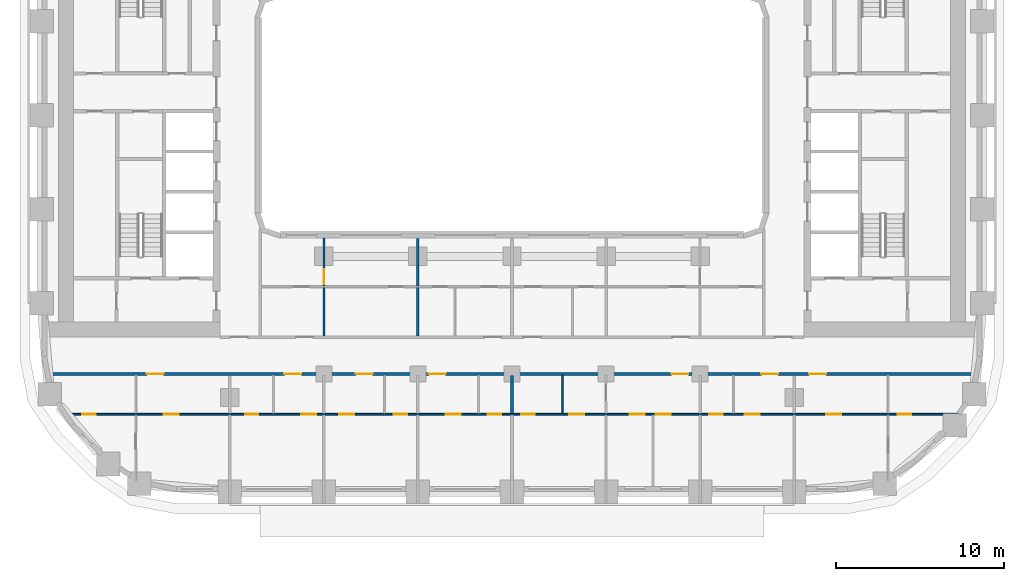
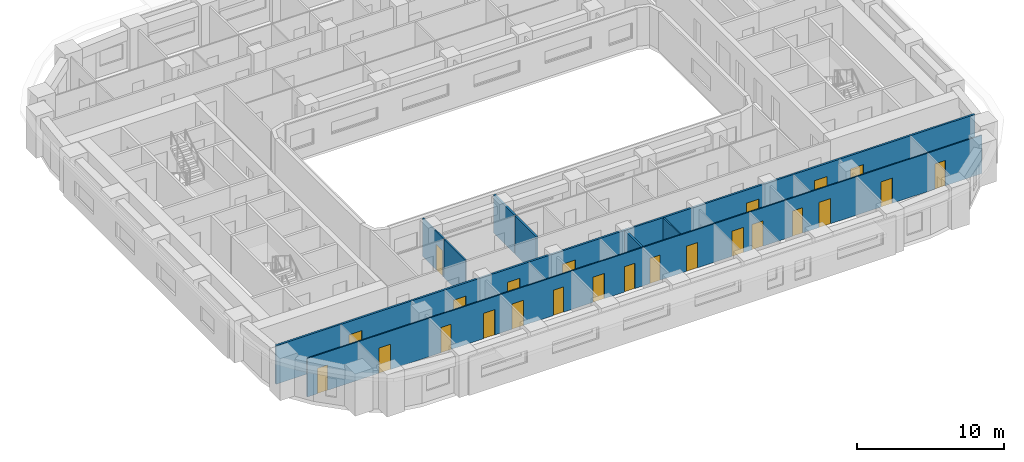
# One storey, part 3 of 22: 24 doors, 8 walls, 24 openings.
"""IFC4 building model written with IfcOpenShell, lengths in metres."""

from ifc_helpers import new_model, si_unit, direction, frame, frame_2d, origin, place, context, subcontext, project, spatial, rectangle, extrude, material, layer, layer_set, type_object, element, fill, save


model = new_model("IFC4")

# Units and contexts
model_context = context("Model", 3, precision=1e-05, world=origin(), true_north=direction((0.0, 1.0)))
body_context = subcontext(model_context, "Body", "Model", "MODEL_VIEW")
ifc_project = project(units=[si_unit("LENGTHUNIT", "METRE"), si_unit("AREAUNIT", "SQUARE_METRE"), si_unit("VOLUMEUNIT", "CUBIC_METRE"), si_unit("PLANEANGLEUNIT", "RADIAN"), si_unit("MASSUNIT", "GRAM", prefix="KILO")], contexts=[model_context])

# Site, building, storey
site_placement = place(None, origin())
site = spatial("IfcSite", under=ifc_project, at=site_placement, CompositionType="ELEMENT")
building_placement = place(site_placement, origin())
building = spatial("IfcBuilding", under=site, at=building_placement, Name="Kiln Ring Residences", CompositionType="ELEMENT")
storey_placement = place(building_placement, frame((0.0, 0.0, 62.0)))
storey = spatial("IfcBuildingStorey", under=building, at=storey_placement, Name="L15", CompositionType="ELEMENT", Elevation=62.0)

# Wall, openings, doors
ifc_material_1 = material(Name="Gypsum board on steel studs", Category="steel")
ifc_layer_1 = layer(ifc_material_1, 0.10009765625)
ifc_layer_set_1 = layer_set([ifc_layer_1], Name="PARTITION-100")
wall_type_1 = type_object("IfcWallType", Name="PARTITION-100", PredefinedType="PARTITIONING", material=ifc_layer_set_1)
wall_1_placement = place(storey_placement, frame((-26.39404296875, -17.800048828125, 0.0), z_axis=(0.0, 0.0, 1.0), x_axis=(1.0, 0.0, 0.0)))
wall_1 = element("IfcWall", 1, at=wall_1_placement, inside=storey, type_object=wall_type_1, Name="Partition 000", PredefinedType="PARTITIONING", context=body_context, shape_type="SweptSolid", body=[
    extrude(rectangle(XDim=53.033935546875, YDim=0.10009765625, at=frame_2d((26.51708984375, 0.0))), origin(), (0.0, 0.0, 1.0), 3.199951171875),
])
opening_1_placement = place(wall_1_placement, frame((0.7939453125, 0.0, 0.0)))
opening_1 = element("IfcOpeningElement", 2, at=opening_1_placement, cuts=wall_1, Name="Opening L15-D058", PredefinedType="OPENING", context=body_context, shape_type="SweptSolid", body=[
    extrude(rectangle(XDim=0.800048828125, YDim=2.10009765625, at=frame_2d((0.39990234375, 1.050048828125))), frame((0.0, 0.06005859375, 0.0), z_axis=(0.0, -1.0, 0.0), x_axis=(1.0, 0.0, 0.0)), (0.0, 0.0, 1.0), 0.1201171875),
])
opening_2_placement = place(wall_1_placement, frame((5.64404296875, 0.0, 0.0)))
opening_2 = element("IfcOpeningElement", 3, at=opening_2_placement, cuts=wall_1, Name="Opening L15-D059", PredefinedType="OPENING", context=body_context, shape_type="SweptSolid", body=[
    extrude(rectangle(XDim=0.89990234375, YDim=2.10009765625, at=frame_2d((0.449951171875, 1.050048828125))), frame((0.0, 0.06005859375, 0.0), z_axis=(0.0, -1.0, 0.0), x_axis=(1.0, 0.0, 0.0)), (0.0, 0.0, 1.0), 0.1201171875),
])
opening_3_placement = place(wall_1_placement, frame((10.493896484375, 0.0, 0.0)))
opening_3 = element("IfcOpeningElement", 4, at=opening_3_placement, cuts=wall_1, Name="Opening L15-D062", PredefinedType="OPENING", context=body_context, shape_type="SweptSolid", body=[
    extrude(rectangle(XDim=0.800048828125, YDim=2.10009765625, at=frame_2d((0.39990234375, 1.050048828125))), frame((0.0, 0.06005859375, 0.0), z_axis=(0.0, -1.0, 0.0), x_axis=(1.0, 0.0, 0.0)), (0.0, 0.0, 1.0), 0.1201171875),
])
opening_4_placement = place(wall_1_placement, frame((13.843994140625, 0.0, 0.0)))
opening_4 = element("IfcOpeningElement", 5, at=opening_4_placement, cuts=wall_1, Name="Opening L15-D063", PredefinedType="OPENING", context=body_context, shape_type="SweptSolid", body=[
    extrude(rectangle(XDim=0.89990234375, YDim=2.10009765625, at=frame_2d((0.449951171875, 1.050048828125))), frame((0.0, 0.06005859375, 0.0), z_axis=(0.0, -1.0, 0.0), x_axis=(1.0, 0.0, 0.0)), (0.0, 0.0, 1.0), 0.1201171875),
])
opening_5_placement = place(wall_1_placement, frame((19.343994140625, 0.0, 0.0)))
opening_5 = element("IfcOpeningElement", 6, at=opening_5_placement, cuts=wall_1, Name="Opening L15-D065", PredefinedType="OPENING", context=body_context, shape_type="SweptSolid", body=[
    extrude(rectangle(XDim=0.800048828125, YDim=2.10009765625, at=frame_2d((0.39990234375, 1.050048828125))), frame((0.0, 0.06005859375, 0.0), z_axis=(0.0, -1.0, 0.0), x_axis=(1.0, 0.0, 0.0)), (0.0, 0.0, 1.0), 0.1201171875),
])
opening_6_placement = place(wall_1_placement, frame((16.093994140625, 0.0, 0.0)))
opening_6 = element("IfcOpeningElement", 7, at=opening_6_placement, cuts=wall_1, Name="Opening L15-D066", PredefinedType="OPENING", context=body_context, shape_type="SweptSolid", body=[
    extrude(rectangle(XDim=0.89990234375, YDim=2.10009765625, at=frame_2d((0.449951171875, 1.050048828125))), frame((0.0, 0.06005859375, 0.0), z_axis=(0.0, -1.0, 0.0), x_axis=(1.0, 0.0, 0.0)), (0.0, 0.0, 1.0), 0.1201171875),
])
opening_7_placement = place(wall_1_placement, frame((24.944091796875, 0.0, 0.0)))
opening_7 = element("IfcOpeningElement", 8, at=opening_7_placement, cuts=wall_1, Name="Opening L15-D068", PredefinedType="OPENING", context=body_context, shape_type="SweptSolid", body=[
    extrude(rectangle(XDim=0.800048828125, YDim=2.10009765625, at=frame_2d((0.39990234375, 1.050048828125))), frame((0.0, 0.06005859375, 0.0), z_axis=(0.0, -1.0, 0.0), x_axis=(1.0, 0.0, 0.0)), (0.0, 0.0, 1.0), 0.1201171875),
])
opening_8_placement = place(wall_1_placement, frame((22.444091796875, 0.0, 0.0)))
opening_8 = element("IfcOpeningElement", 9, at=opening_8_placement, cuts=wall_1, Name="Opening L15-D069", PredefinedType="OPENING", context=body_context, shape_type="SweptSolid", body=[
    extrude(rectangle(XDim=0.89990234375, YDim=2.10009765625, at=frame_2d((0.449951171875, 1.050048828125))), frame((0.0, 0.06005859375, 0.0), z_axis=(0.0, -1.0, 0.0), x_axis=(1.0, 0.0, 0.0)), (0.0, 0.0, 1.0), 0.1201171875),
])
opening_9_placement = place(wall_1_placement, frame((26.944091796875, 0.0, 0.0)))
opening_9 = element("IfcOpeningElement", 10, at=opening_9_placement, cuts=wall_1, Name="Opening L15-D072", PredefinedType="OPENING", context=body_context, shape_type="SweptSolid", body=[
    extrude(rectangle(XDim=0.800048828125, YDim=2.10009765625, at=frame_2d((0.39990234375, 1.050048828125))), frame((0.0, 0.06005859375, 0.0), z_axis=(0.0, -1.0, 0.0), x_axis=(1.0, 0.0, 0.0)), (0.0, 0.0, 1.0), 0.1201171875),
])
opening_10_placement = place(wall_1_placement, frame((29.7939453125, 0.0, 0.0)))
opening_10 = element("IfcOpeningElement", 11, at=opening_10_placement, cuts=wall_1, Name="Opening L15-D073", PredefinedType="OPENING", context=body_context, shape_type="SweptSolid", body=[
    extrude(rectangle(XDim=0.89990234375, YDim=2.10009765625, at=frame_2d((0.449951171875, 1.050048828125))), frame((0.0, 0.06005859375, 0.0), z_axis=(0.0, -1.0, 0.0), x_axis=(1.0, 0.0, 0.0)), (0.0, 0.0, 1.0), 0.1201171875),
])
opening_11_placement = place(wall_1_placement, frame((33.39404296875, 0.0, 0.0)))
opening_11 = element("IfcOpeningElement", 12, at=opening_11_placement, cuts=wall_1, Name="Opening L15-D074", PredefinedType="OPENING", context=body_context, shape_type="SweptSolid", body=[
    extrude(rectangle(XDim=0.89990234375, YDim=2.10009765625, at=frame_2d((0.449951171875, 1.050048828125))), frame((0.0, 0.06005859375, 0.0), z_axis=(0.0, -1.0, 0.0), x_axis=(1.0, 0.0, 0.0)), (0.0, 0.0, 1.0), 0.1201171875),
])
opening_12_placement = place(wall_1_placement, frame((34.944091796875, 0.0, 0.0)))
opening_12 = element("IfcOpeningElement", 13, at=opening_12_placement, cuts=wall_1, Name="Opening L15-D075", PredefinedType="OPENING", context=body_context, shape_type="SweptSolid", body=[
    extrude(rectangle(XDim=0.89990234375, YDim=2.10009765625, at=frame_2d((0.449951171875, 1.050048828125))), frame((0.0, 0.06005859375, 0.0), z_axis=(0.0, -1.0, 0.0), x_axis=(1.0, 0.0, 0.0)), (0.0, 0.0, 1.0), 0.1201171875),
])
opening_13_placement = place(wall_1_placement, frame((38.14404296875, 0.0, 0.0)))
opening_13 = element("IfcOpeningElement", 14, at=opening_13_placement, cuts=wall_1, Name="Opening L15-D077", PredefinedType="OPENING", context=body_context, shape_type="SweptSolid", body=[
    extrude(rectangle(XDim=0.800048828125, YDim=2.10009765625, at=frame_2d((0.39990234375, 1.050048828125))), frame((0.0, 0.06005859375, 0.0), z_axis=(0.0, -1.0, 0.0), x_axis=(1.0, 0.0, 0.0)), (0.0, 0.0, 1.0), 0.1201171875),
])
opening_14_placement = place(wall_1_placement, frame((40.243896484375, 0.0, 0.0)))
opening_14 = element("IfcOpeningElement", 15, at=opening_14_placement, cuts=wall_1, Name="Opening L15-D078", PredefinedType="OPENING", context=body_context, shape_type="SweptSolid", body=[
    extrude(rectangle(XDim=0.89990234375, YDim=2.10009765625, at=frame_2d((0.449951171875, 1.050048828125))), frame((0.0, 0.06005859375, 0.0), z_axis=(0.0, -1.0, 0.0), x_axis=(1.0, 0.0, 0.0)), (0.0, 0.0, 1.0), 0.1201171875),
])
opening_15_placement = place(wall_1_placement, frame((49.362060546875, 0.0, 0.0)))
opening_15 = element("IfcOpeningElement", 16, at=opening_15_placement, cuts=wall_1, Name="Opening L15-D080", PredefinedType="OPENING", context=body_context, shape_type="SweptSolid", body=[
    extrude(rectangle(XDim=0.800048828125, YDim=2.10009765625, at=frame_2d((0.39990234375, 1.050048828125))), frame((0.0, 0.06005859375, 0.0), z_axis=(0.0, -1.0, 0.0), x_axis=(1.0, 0.0, 0.0)), (0.0, 0.0, 1.0), 0.1201171875),
])
opening_16_placement = place(wall_1_placement, frame((45.093994140625, 0.0, 0.0)))
opening_16 = element("IfcOpeningElement", 17, at=opening_16_placement, cuts=wall_1, Name="Opening L15-D081", PredefinedType="OPENING", context=body_context, shape_type="SweptSolid", body=[
    extrude(rectangle(XDim=0.89990234375, YDim=2.10009765625, at=frame_2d((0.449951171875, 1.050048828125))), frame((0.0, 0.06005859375, 0.0), z_axis=(0.0, -1.0, 0.0), x_axis=(1.0, 0.0, 0.0)), (0.0, 0.0, 1.0), 0.1201171875),
])
ifc_material_2 = material(Name="Timber door leaf", Category="wood")
door_type_1 = type_object("IfcDoorType", Name="FLAT-DOOR-800-PL", OperationType="SINGLE_SWING_LEFT", PredefinedType="DOOR", material=ifc_material_2)
door_1_placement = place(opening_1_placement, origin())
door_1 = element("IfcDoor", 18, at=door_1_placement, inside=storey, type_object=door_type_1, Name="Door L15-D058", OperationType="SINGLE_SWING_RIGHT", OverallHeight=2.10009765625, OverallWidth=0.800048828125, PredefinedType="DOOR", context=body_context, shape_type="SweptSolid", body=[
    extrude(rectangle(XDim=0.800048828125, YDim=2.10009765625, at=frame_2d((0.39990234375, 1.050048828125))), frame((0.0, 0.02490234375, 0.0), z_axis=(0.0, -1.0, 0.0), x_axis=(1.0, 0.0, 0.0)), (0.0, 0.0, 1.0), 0.050048828125),
])
fill(opening_1, door_1)
door_2_placement = place(opening_3_placement, origin())
door_2 = element("IfcDoor", 19, at=door_2_placement, inside=storey, type_object=door_type_1, Name="Door L15-D062", OperationType="SINGLE_SWING_RIGHT", OverallHeight=2.10009765625, OverallWidth=0.800048828125, PredefinedType="DOOR", context=body_context, shape_type="SweptSolid", body=[
    extrude(rectangle(XDim=0.800048828125, YDim=2.10009765625, at=frame_2d((0.39990234375, 1.050048828125))), frame((0.0, 0.02490234375, 0.0), z_axis=(0.0, -1.0, 0.0), x_axis=(1.0, 0.0, 0.0)), (0.0, 0.0, 1.0), 0.050048828125),
])
fill(opening_3, door_2)
door_3_placement = place(opening_5_placement, origin())
door_3 = element("IfcDoor", 20, at=door_3_placement, inside=storey, type_object=door_type_1, Name="Door L15-D065", OperationType="SINGLE_SWING_LEFT", OverallHeight=2.10009765625, OverallWidth=0.800048828125, PredefinedType="DOOR", context=body_context, shape_type="SweptSolid", body=[
    extrude(rectangle(XDim=0.800048828125, YDim=2.10009765625, at=frame_2d((0.39990234375, 1.050048828125))), frame((0.0, 0.02490234375, 0.0), z_axis=(0.0, -1.0, 0.0), x_axis=(1.0, 0.0, 0.0)), (0.0, 0.0, 1.0), 0.050048828125),
])
fill(opening_5, door_3)
door_4_placement = place(opening_7_placement, origin())
door_4 = element("IfcDoor", 21, at=door_4_placement, inside=storey, type_object=door_type_1, Name="Door L15-D068", OperationType="SINGLE_SWING_RIGHT", OverallHeight=2.10009765625, OverallWidth=0.800048828125, PredefinedType="DOOR", context=body_context, shape_type="SweptSolid", body=[
    extrude(rectangle(XDim=0.800048828125, YDim=2.10009765625, at=frame_2d((0.39990234375, 1.050048828125))), frame((0.0, 0.02490234375, 0.0), z_axis=(0.0, -1.0, 0.0), x_axis=(1.0, 0.0, 0.0)), (0.0, 0.0, 1.0), 0.050048828125),
])
fill(opening_7, door_4)
door_5_placement = place(opening_9_placement, origin())
door_5 = element("IfcDoor", 22, at=door_5_placement, inside=storey, type_object=door_type_1, Name="Door L15-D072", OperationType="SINGLE_SWING_RIGHT", OverallHeight=2.10009765625, OverallWidth=0.800048828125, PredefinedType="DOOR", context=body_context, shape_type="SweptSolid", body=[
    extrude(rectangle(XDim=0.800048828125, YDim=2.10009765625, at=frame_2d((0.39990234375, 1.050048828125))), frame((0.0, 0.02490234375, 0.0), z_axis=(0.0, -1.0, 0.0), x_axis=(1.0, 0.0, 0.0)), (0.0, 0.0, 1.0), 0.050048828125),
])
fill(opening_9, door_5)
door_6_placement = place(opening_13_placement, origin())
door_6 = element("IfcDoor", 23, at=door_6_placement, inside=storey, type_object=door_type_1, Name="Door L15-D077", OperationType="SINGLE_SWING_LEFT", OverallHeight=2.10009765625, OverallWidth=0.800048828125, PredefinedType="DOOR", context=body_context, shape_type="SweptSolid", body=[
    extrude(rectangle(XDim=0.800048828125, YDim=2.10009765625, at=frame_2d((0.39990234375, 1.050048828125))), frame((0.0, 0.02490234375, 0.0), z_axis=(0.0, -1.0, 0.0), x_axis=(1.0, 0.0, 0.0)), (0.0, 0.0, 1.0), 0.050048828125),
])
fill(opening_13, door_6)
door_7_placement = place(opening_15_placement, origin())
door_7 = element("IfcDoor", 24, at=door_7_placement, inside=storey, type_object=door_type_1, Name="Door L15-D080", OperationType="SINGLE_SWING_RIGHT", OverallHeight=2.10009765625, OverallWidth=0.800048828125, PredefinedType="DOOR", context=body_context, shape_type="SweptSolid", body=[
    extrude(rectangle(XDim=0.800048828125, YDim=2.10009765625, at=frame_2d((0.39990234375, 1.050048828125))), frame((0.0, 0.02490234375, 0.0), z_axis=(0.0, -1.0, 0.0), x_axis=(1.0, 0.0, 0.0)), (0.0, 0.0, 1.0), 0.050048828125),
])
fill(opening_15, door_7)
ifc_material_3 = material(Name="Timber door leaf", Category="wood")
door_type_2 = type_object("IfcDoorType", Name="FLAT-DOOR-900-PL", OperationType="SINGLE_SWING_LEFT", PredefinedType="DOOR", material=ifc_material_3)
door_8_placement = place(opening_2_placement, origin())
door_8 = element("IfcDoor", 25, at=door_8_placement, inside=storey, type_object=door_type_2, Name="Door L15-D059", OperationType="SINGLE_SWING_LEFT", OverallHeight=2.10009765625, OverallWidth=0.89990234375, PredefinedType="DOOR", context=body_context, shape_type="SweptSolid", body=[
    extrude(rectangle(XDim=0.89990234375, YDim=2.10009765625, at=frame_2d((0.449951171875, 1.050048828125))), frame((0.0, 0.02490234375, 0.0), z_axis=(0.0, -1.0, 0.0), x_axis=(1.0, 0.0, 0.0)), (0.0, 0.0, 1.0), 0.050048828125),
])
fill(opening_2, door_8)
door_9_placement = place(opening_4_placement, origin())
door_9 = element("IfcDoor", 26, at=door_9_placement, inside=storey, type_object=door_type_2, Name="Door L15-D063", OperationType="SINGLE_SWING_RIGHT", OverallHeight=2.10009765625, OverallWidth=0.89990234375, PredefinedType="DOOR", context=body_context, shape_type="SweptSolid", body=[
    extrude(rectangle(XDim=0.89990234375, YDim=2.10009765625, at=frame_2d((0.449951171875, 1.050048828125))), frame((0.0, 0.02490234375, 0.0), z_axis=(0.0, -1.0, 0.0), x_axis=(1.0, 0.0, 0.0)), (0.0, 0.0, 1.0), 0.050048828125),
])
fill(opening_4, door_9)
door_10_placement = place(opening_6_placement, origin())
door_10 = element("IfcDoor", 27, at=door_10_placement, inside=storey, type_object=door_type_2, Name="Door L15-D066", OperationType="SINGLE_SWING_LEFT", OverallHeight=2.10009765625, OverallWidth=0.89990234375, PredefinedType="DOOR", context=body_context, shape_type="SweptSolid", body=[
    extrude(rectangle(XDim=0.89990234375, YDim=2.10009765625, at=frame_2d((0.449951171875, 1.050048828125))), frame((0.0, 0.02490234375, 0.0), z_axis=(0.0, -1.0, 0.0), x_axis=(1.0, 0.0, 0.0)), (0.0, 0.0, 1.0), 0.050048828125),
])
fill(opening_6, door_10)
door_11_placement = place(opening_8_placement, origin())
door_11 = element("IfcDoor", 28, at=door_11_placement, inside=storey, type_object=door_type_2, Name="Door L15-D069", OperationType="SINGLE_SWING_RIGHT", OverallHeight=2.10009765625, OverallWidth=0.89990234375, PredefinedType="DOOR", context=body_context, shape_type="SweptSolid", body=[
    extrude(rectangle(XDim=0.89990234375, YDim=2.10009765625, at=frame_2d((0.449951171875, 1.050048828125))), frame((0.0, 0.02490234375, 0.0), z_axis=(0.0, -1.0, 0.0), x_axis=(1.0, 0.0, 0.0)), (0.0, 0.0, 1.0), 0.050048828125),
])
fill(opening_8, door_11)
door_12_placement = place(opening_10_placement, origin())
door_12 = element("IfcDoor", 29, at=door_12_placement, inside=storey, type_object=door_type_2, Name="Door L15-D073", OperationType="SINGLE_SWING_LEFT", OverallHeight=2.10009765625, OverallWidth=0.89990234375, PredefinedType="DOOR", context=body_context, shape_type="SweptSolid", body=[
    extrude(rectangle(XDim=0.89990234375, YDim=2.10009765625, at=frame_2d((0.449951171875, 1.050048828125))), frame((0.0, 0.02490234375, 0.0), z_axis=(0.0, -1.0, 0.0), x_axis=(1.0, 0.0, 0.0)), (0.0, 0.0, 1.0), 0.050048828125),
])
fill(opening_10, door_12)
door_13_placement = place(opening_11_placement, origin())
door_13 = element("IfcDoor", 30, at=door_13_placement, inside=storey, type_object=door_type_2, Name="Door L15-D074", OperationType="SINGLE_SWING_RIGHT", OverallHeight=2.10009765625, OverallWidth=0.89990234375, PredefinedType="DOOR", context=body_context, shape_type="SweptSolid", body=[
    extrude(rectangle(XDim=0.89990234375, YDim=2.10009765625, at=frame_2d((0.449951171875, 1.050048828125))), frame((0.0, 0.02490234375, 0.0), z_axis=(0.0, -1.0, 0.0), x_axis=(1.0, 0.0, 0.0)), (0.0, 0.0, 1.0), 0.050048828125),
])
fill(opening_11, door_13)
door_14_placement = place(opening_12_placement, origin())
door_14 = element("IfcDoor", 31, at=door_14_placement, inside=storey, type_object=door_type_2, Name="Door L15-D075", OperationType="SINGLE_SWING_LEFT", OverallHeight=2.10009765625, OverallWidth=0.89990234375, PredefinedType="DOOR", context=body_context, shape_type="SweptSolid", body=[
    extrude(rectangle(XDim=0.89990234375, YDim=2.10009765625, at=frame_2d((0.449951171875, 1.050048828125))), frame((0.0, 0.02490234375, 0.0), z_axis=(0.0, -1.0, 0.0), x_axis=(1.0, 0.0, 0.0)), (0.0, 0.0, 1.0), 0.050048828125),
])
fill(opening_12, door_14)
door_15_placement = place(opening_14_placement, origin())
door_15 = element("IfcDoor", 32, at=door_15_placement, inside=storey, type_object=door_type_2, Name="Door L15-D078", OperationType="SINGLE_SWING_LEFT", OverallHeight=2.10009765625, OverallWidth=0.89990234375, PredefinedType="DOOR", context=body_context, shape_type="SweptSolid", body=[
    extrude(rectangle(XDim=0.89990234375, YDim=2.10009765625, at=frame_2d((0.449951171875, 1.050048828125))), frame((0.0, 0.02490234375, 0.0), z_axis=(0.0, -1.0, 0.0), x_axis=(1.0, 0.0, 0.0)), (0.0, 0.0, 1.0), 0.050048828125),
])
fill(opening_14, door_15)
door_16_placement = place(opening_16_placement, origin())
door_16 = element("IfcDoor", 33, at=door_16_placement, inside=storey, type_object=door_type_2, Name="Door L15-D081", OperationType="SINGLE_SWING_LEFT", OverallHeight=2.10009765625, OverallWidth=0.89990234375, PredefinedType="DOOR", context=body_context, shape_type="SweptSolid", body=[
    extrude(rectangle(XDim=0.89990234375, YDim=2.10009765625, at=frame_2d((0.449951171875, 1.050048828125))), frame((0.0, 0.02490234375, 0.0), z_axis=(0.0, -1.0, 0.0), x_axis=(1.0, 0.0, 0.0)), (0.0, 0.0, 1.0), 0.050048828125),
])
fill(opening_16, door_16)

# Wall
wall_2_placement = place(storey_placement, frame((-11.199951171875, -13.125, 0.0), z_axis=(0.0, 0.0, 1.0), x_axis=(0.0, 1.0, 0.0)))
element("IfcWall", 34, at=wall_2_placement, inside=storey, type_object=wall_type_1, Name="Partition 020", PredefinedType="PARTITIONING", context=body_context, shape_type="SweptSolid", body=[
    extrude(rectangle(XDim=2.875, YDim=0.10009765625, at=frame_2d((1.4375, 0.0))), origin(), (0.0, 0.0, 1.0), 3.199951171875),
])

# Wall, opening, door
wall_3_placement = place(storey_placement, frame((-11.199951171875, -10.14990234375, 0.0), z_axis=(0.0, 0.0, 1.0), x_axis=(0.0, 1.0, 0.0)))
wall_3 = element("IfcWall", 35, at=wall_3_placement, inside=storey, type_object=wall_type_1, Name="Partition 021", PredefinedType="PARTITIONING", context=body_context, shape_type="SweptSolid", body=[
    extrude(rectangle(XDim=2.829833984375, YDim=0.10009765625, at=frame_2d((1.4150390625, 0.0))), origin(), (0.0, 0.0, 1.0), 3.199951171875),
])
opening_17_placement = place(wall_3_placement, frame((0.10009765625, 0.0, 0.0)))
opening_17 = element("IfcOpeningElement", 36, at=opening_17_placement, cuts=wall_3, Name="Opening L15-D046", PredefinedType="OPENING", context=body_context, shape_type="SweptSolid", body=[
    extrude(rectangle(XDim=0.89990234375, YDim=2.10009765625, at=frame_2d((0.449951171875, 1.050048828125))), frame((0.0, 0.06005859375, 0.0), z_axis=(0.0, -1.0, 0.0), x_axis=(1.0, 0.0, 0.0)), (0.0, 0.0, 1.0), 0.1201171875),
])
door_17_placement = place(opening_17_placement, origin())
door_17 = element("IfcDoor", 37, at=door_17_placement, inside=storey, type_object=door_type_2, Name="Door L15-D046", OperationType="SINGLE_SWING_LEFT", OverallHeight=2.10009765625, OverallWidth=0.89990234375, PredefinedType="DOOR", context=body_context, shape_type="SweptSolid", body=[
    extrude(rectangle(XDim=0.89990234375, YDim=2.10009765625, at=frame_2d((0.449951171875, 1.050048828125))), frame((0.0, 0.02490234375, 0.0), z_axis=(0.0, -1.0, 0.0), x_axis=(1.0, 0.0, 0.0)), (0.0, 0.0, 1.0), 0.050048828125),
])
fill(opening_17, door_17)

# Wall
wall_4_placement = place(storey_placement, frame((3.0, -17.75, 0.0), z_axis=(0.0, 0.0, 1.0), x_axis=(0.0, 1.0, 0.0)))
element("IfcWall", 38, at=wall_4_placement, inside=storey, type_object=wall_type_1, Name="Partition 049", PredefinedType="PARTITIONING", context=body_context, shape_type="SweptSolid", body=[
    extrude(rectangle(XDim=2.27490234375, YDim=0.10009765625, at=frame_2d((1.137451171875, 0.0))), origin(), (0.0, 0.0, 1.0), 3.199951171875),
])

# Wall, openings, doors
ifc_material_4 = material(Name="Brick masonry partition", Category="masonry")
ifc_layer_2 = layer(ifc_material_4, 0.14990234375)
ifc_layer_set_2 = layer_set([ifc_layer_2], Name="PARTITION-150-ei60")
wall_type_2 = type_object("IfcWallType", Name="PARTITION-150-ei60", PredefinedType="PARTITIONING", material=ifc_layer_set_2)
wall_5_placement = place(storey_placement, frame((-27.48388671875, -15.39990234375, 0.0), z_axis=(0.0, 0.0, 1.0), x_axis=(1.0, 0.0, 0.0)))
wall_5 = element("IfcWall", 39, at=wall_5_placement, inside=storey, type_object=wall_type_2, Name="Partition 001", PredefinedType="PARTITIONING", context=body_context, shape_type="SweptSolid", body=[
    extrude(rectangle(XDim=54.9677734375, YDim=0.14990234375, at=frame_2d((27.48388671875, 0.0))), origin(), (0.0, 0.0, 1.0), 3.199951171875),
])
opening_18_placement = place(wall_5_placement, frame((5.73388671875, 0.0, 0.0)))
opening_18 = element("IfcOpeningElement", 40, at=opening_18_placement, cuts=wall_5, Name="Opening L15-D057", PredefinedType="OPENING", context=body_context, shape_type="SweptSolid", body=[
    extrude(rectangle(XDim=1.0, YDim=2.10009765625, at=frame_2d((0.5, 1.050048828125))), frame((0.0, 0.0849609375, 0.0), z_axis=(0.0, -1.0, 0.0), x_axis=(1.0, 0.0, 0.0)), (0.0, 0.0, 1.0), 0.169921875),
])
opening_19_placement = place(wall_5_placement, frame((13.933837890625, 0.0, 0.0)))
opening_19 = element("IfcOpeningElement", 41, at=opening_19_placement, cuts=wall_5, Name="Opening L15-D061", PredefinedType="OPENING", context=body_context, shape_type="SweptSolid", body=[
    extrude(rectangle(XDim=1.0, YDim=2.10009765625, at=frame_2d((0.5, 1.050048828125))), frame((0.0, 0.0849609375, 0.0), z_axis=(0.0, -1.0, 0.0), x_axis=(1.0, 0.0, 0.0)), (0.0, 0.0, 1.0), 0.169921875),
])
opening_20_placement = place(wall_5_placement, frame((18.183837890625, 0.0, 0.0)))
opening_20 = element("IfcOpeningElement", 42, at=opening_20_placement, cuts=wall_5, Name="Opening L15-D064", PredefinedType="OPENING", context=body_context, shape_type="SweptSolid", body=[
    extrude(rectangle(XDim=1.0, YDim=2.10009765625, at=frame_2d((0.5, 1.050048828125))), frame((0.0, 0.0849609375, 0.0), z_axis=(0.0, -1.0, 0.0), x_axis=(1.0, 0.0, 0.0)), (0.0, 0.0, 1.0), 0.169921875),
])
opening_21_placement = place(wall_5_placement, frame((22.53369140625, 0.0, 0.0)))
opening_21 = element("IfcOpeningElement", 43, at=opening_21_placement, cuts=wall_5, Name="Opening L15-D067", PredefinedType="OPENING", context=body_context, shape_type="SweptSolid", body=[
    extrude(rectangle(XDim=1.0, YDim=2.10009765625, at=frame_2d((0.5, 1.050048828125))), frame((0.0, 0.0849609375, 0.0), z_axis=(0.0, -1.0, 0.0), x_axis=(1.0, 0.0, 0.0)), (0.0, 0.0, 1.0), 0.169921875),
])
opening_22_placement = place(wall_5_placement, frame((36.98388671875, 0.0, 0.0)))
opening_22 = element("IfcOpeningElement", 44, at=opening_22_placement, cuts=wall_5, Name="Opening L15-D070", PredefinedType="OPENING", context=body_context, shape_type="SweptSolid", body=[
    extrude(rectangle(XDim=1.0, YDim=2.10009765625, at=frame_2d((0.5, 1.050048828125))), frame((0.0, 0.0849609375, 0.0), z_axis=(0.0, -1.0, 0.0), x_axis=(1.0, 0.0, 0.0)), (0.0, 0.0, 1.0), 0.169921875),
])
opening_23_placement = place(wall_5_placement, frame((42.333740234375, 0.0, 0.0)))
opening_23 = element("IfcOpeningElement", 45, at=opening_23_placement, cuts=wall_5, Name="Opening L15-D076", PredefinedType="OPENING", context=body_context, shape_type="SweptSolid", body=[
    extrude(rectangle(XDim=1.0, YDim=2.10009765625, at=frame_2d((0.5, 1.050048828125))), frame((0.0, 0.0849609375, 0.0), z_axis=(0.0, -1.0, 0.0), x_axis=(1.0, 0.0, 0.0)), (0.0, 0.0, 1.0), 0.169921875),
])
opening_24_placement = place(wall_5_placement, frame((45.183837890625, 0.0, 0.0)))
opening_24 = element("IfcOpeningElement", 46, at=opening_24_placement, cuts=wall_5, Name="Opening L15-D079", PredefinedType="OPENING", context=body_context, shape_type="SweptSolid", body=[
    extrude(rectangle(XDim=1.0, YDim=2.10009765625, at=frame_2d((0.5, 1.050048828125))), frame((0.0, 0.0849609375, 0.0), z_axis=(0.0, -1.0, 0.0), x_axis=(1.0, 0.0, 0.0)), (0.0, 0.0, 1.0), 0.169921875),
])
ifc_material_5 = material(Name="Steel faced fire door leaf", Category="steel")
door_type_3 = type_object("IfcDoorType", Name="FLAT-DOOR-1000-FR", OperationType="SINGLE_SWING_LEFT", PredefinedType="DOOR", material=ifc_material_5)
door_18_placement = place(opening_18_placement, origin())
door_18 = element("IfcDoor", 47, at=door_18_placement, inside=storey, type_object=door_type_3, Name="Door L15-D057", OperationType="SINGLE_SWING_LEFT", OverallHeight=2.10009765625, OverallWidth=1.0, PredefinedType="DOOR", context=body_context, shape_type="SweptSolid", body=[
    extrude(rectangle(XDim=1.0, YDim=2.10009765625, at=frame_2d((0.5, 1.050048828125))), frame((0.0, 0.02490234375, 0.0), z_axis=(0.0, -1.0, 0.0), x_axis=(1.0, 0.0, 0.0)), (0.0, 0.0, 1.0), 0.050048828125),
])
fill(opening_18, door_18)
door_19_placement = place(opening_19_placement, origin())
door_19 = element("IfcDoor", 48, at=door_19_placement, inside=storey, type_object=door_type_3, Name="Door L15-D061", OperationType="SINGLE_SWING_LEFT", OverallHeight=2.10009765625, OverallWidth=1.0, PredefinedType="DOOR", context=body_context, shape_type="SweptSolid", body=[
    extrude(rectangle(XDim=1.0, YDim=2.10009765625, at=frame_2d((0.5, 1.050048828125))), frame((0.0, 0.02490234375, 0.0), z_axis=(0.0, -1.0, 0.0), x_axis=(1.0, 0.0, 0.0)), (0.0, 0.0, 1.0), 0.050048828125),
])
fill(opening_19, door_19)
door_20_placement = place(opening_20_placement, origin())
door_20 = element("IfcDoor", 49, at=door_20_placement, inside=storey, type_object=door_type_3, Name="Door L15-D064", OperationType="SINGLE_SWING_RIGHT", OverallHeight=2.10009765625, OverallWidth=1.0, PredefinedType="DOOR", context=body_context, shape_type="SweptSolid", body=[
    extrude(rectangle(XDim=1.0, YDim=2.10009765625, at=frame_2d((0.5, 1.050048828125))), frame((0.0, 0.02490234375, 0.0), z_axis=(0.0, -1.0, 0.0), x_axis=(1.0, 0.0, 0.0)), (0.0, 0.0, 1.0), 0.050048828125),
])
fill(opening_20, door_20)
door_21_placement = place(opening_21_placement, origin())
door_21 = element("IfcDoor", 50, at=door_21_placement, inside=storey, type_object=door_type_3, Name="Door L15-D067", OperationType="SINGLE_SWING_LEFT", OverallHeight=2.10009765625, OverallWidth=1.0, PredefinedType="DOOR", context=body_context, shape_type="SweptSolid", body=[
    extrude(rectangle(XDim=1.0, YDim=2.10009765625, at=frame_2d((0.5, 1.050048828125))), frame((0.0, 0.02490234375, 0.0), z_axis=(0.0, -1.0, 0.0), x_axis=(1.0, 0.0, 0.0)), (0.0, 0.0, 1.0), 0.050048828125),
])
fill(opening_21, door_21)
door_22_placement = place(opening_22_placement, origin())
door_22 = element("IfcDoor", 51, at=door_22_placement, inside=storey, type_object=door_type_3, Name="Door L15-D070", OperationType="SINGLE_SWING_RIGHT", OverallHeight=2.10009765625, OverallWidth=1.0, PredefinedType="DOOR", context=body_context, shape_type="SweptSolid", body=[
    extrude(rectangle(XDim=1.0, YDim=2.10009765625, at=frame_2d((0.5, 1.050048828125))), frame((0.0, 0.02490234375, 0.0), z_axis=(0.0, -1.0, 0.0), x_axis=(1.0, 0.0, 0.0)), (0.0, 0.0, 1.0), 0.050048828125),
])
fill(opening_22, door_22)
door_23_placement = place(opening_23_placement, origin())
door_23 = element("IfcDoor", 52, at=door_23_placement, inside=storey, type_object=door_type_3, Name="Door L15-D076", OperationType="SINGLE_SWING_RIGHT", OverallHeight=2.10009765625, OverallWidth=1.0, PredefinedType="DOOR", context=body_context, shape_type="SweptSolid", body=[
    extrude(rectangle(XDim=1.0, YDim=2.10009765625, at=frame_2d((0.5, 1.050048828125))), frame((0.0, 0.02490234375, 0.0), z_axis=(0.0, -1.0, 0.0), x_axis=(1.0, 0.0, 0.0)), (0.0, 0.0, 1.0), 0.050048828125),
])
fill(opening_23, door_23)
door_24_placement = place(opening_24_placement, origin())
door_24 = element("IfcDoor", 53, at=door_24_placement, inside=storey, type_object=door_type_3, Name="Door L15-D079", OperationType="SINGLE_SWING_LEFT", OverallHeight=2.10009765625, OverallWidth=1.0, PredefinedType="DOOR", context=body_context, shape_type="SweptSolid", body=[
    extrude(rectangle(XDim=1.0, YDim=2.10009765625, at=frame_2d((0.5, 1.050048828125))), frame((0.0, 0.02490234375, 0.0), z_axis=(0.0, -1.0, 0.0), x_axis=(1.0, 0.0, 0.0)), (0.0, 0.0, 1.0), 0.050048828125),
])
fill(opening_24, door_24)

# Walls
wall_6_placement = place(storey_placement, frame((-5.60009765625, -13.125, 0.0), z_axis=(0.0, 0.0, 1.0), x_axis=(0.0, 1.0, 0.0)))
element("IfcWall", 54, at=wall_6_placement, inside=storey, type_object=wall_type_2, Name="Partition 032", PredefinedType="PARTITIONING", context=body_context, shape_type="SweptSolid", body=[
    extrude(rectangle(XDim=2.875, YDim=0.14990234375, at=frame_2d((1.4375, 0.0))), origin(), (0.0, 0.0, 1.0), 3.199951171875),
])
wall_7_placement = place(storey_placement, frame((-5.60009765625, -10.14990234375, 0.0), z_axis=(0.0, 0.0, 1.0), x_axis=(0.0, 1.0, 0.0)))
element("IfcWall", 55, at=wall_7_placement, inside=storey, type_object=wall_type_2, Name="Partition 033", PredefinedType="PARTITIONING", context=body_context, shape_type="SweptSolid", body=[
    extrude(rectangle(XDim=2.829833984375, YDim=0.14990234375, at=frame_2d((1.4150390625, 0.0))), origin(), (0.0, 0.0, 1.0), 3.199951171875),
])
wall_8_placement = place(storey_placement, frame((0.0, -17.75, 0.0), z_axis=(0.0, 0.0, 1.0), x_axis=(0.0, 1.0, 0.0)))
element("IfcWall", 56, at=wall_8_placement, inside=storey, type_object=wall_type_2, Name="Partition 044", PredefinedType="PARTITIONING", context=body_context, shape_type="SweptSolid", body=[
    extrude(rectangle(XDim=2.27490234375, YDim=0.14990234375, at=frame_2d((1.137451171875, 0.0))), origin(), (0.0, 0.0, 1.0), 3.199951171875),
])

save(model, "model.ifc")
